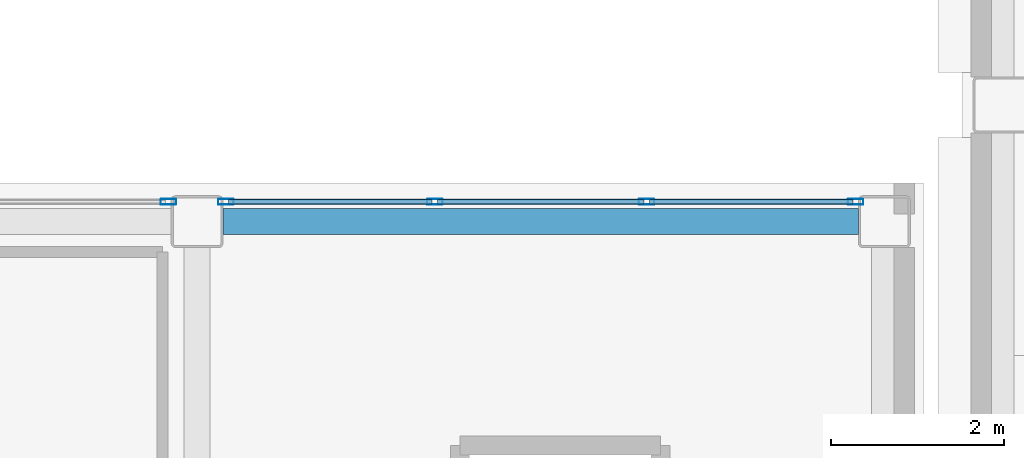
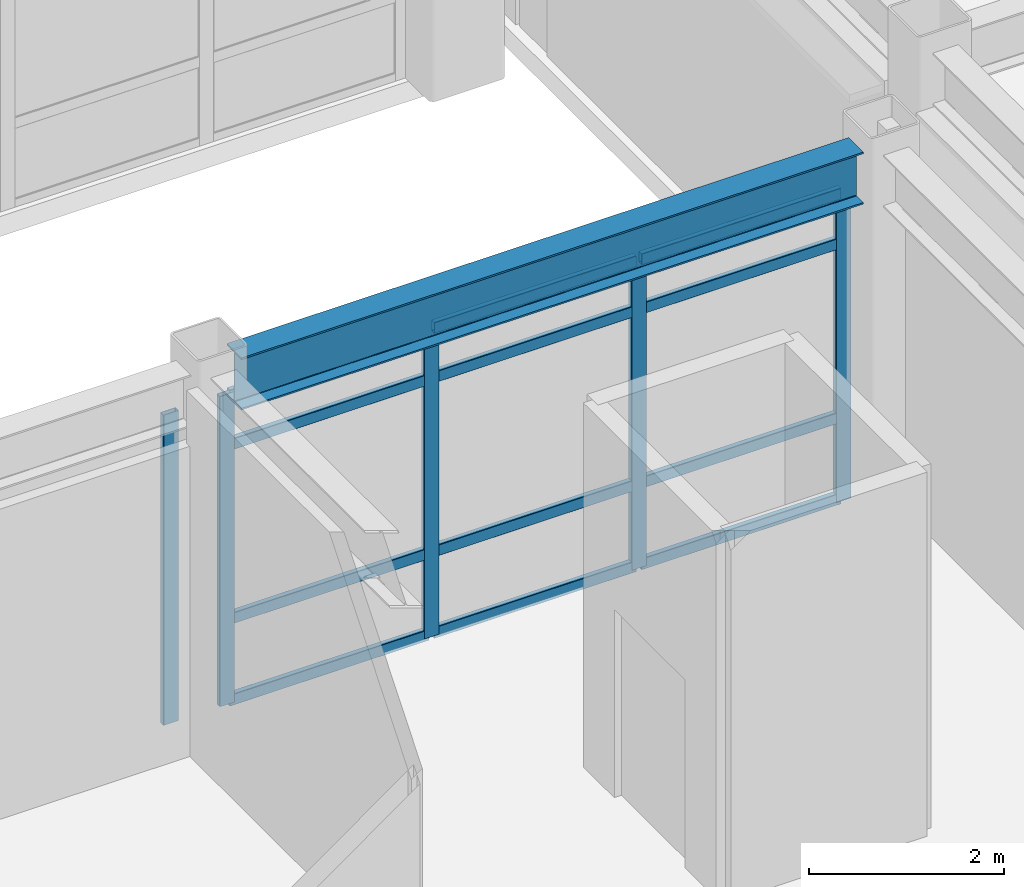
# One storey, part 34 of 172: 17 members, 1 beam, 2 elements without a shape of their own.
"""IFC4 building model written with IfcOpenShell, lengths in metres."""

from ifc_helpers import new_model, si_unit, direction, frame, origin, origin_2d, place, context, subcontext, project, spatial, hollow_rectangle, i_section, extrude, material, layer, layer_set, material_profile, profile_set, type_object, element, aggregate, save


model = new_model("IFC4")

# Units and contexts
model_context = context("Model", 3, precision=1e-05, world=origin(), true_north=direction((0.0, 1.0)))
body_context = subcontext(model_context, "Body", "Model", "MODEL_VIEW")
ifc_project = project(units=[si_unit("LENGTHUNIT", "METRE"), si_unit("AREAUNIT", "SQUARE_METRE"), si_unit("VOLUMEUNIT", "CUBIC_METRE"), si_unit("PLANEANGLEUNIT", "RADIAN"), si_unit("MASSUNIT", "GRAM", prefix="KILO")], contexts=[model_context])

# Site, building, storey
site_placement = place(None, origin())
site = spatial("IfcSite", under=ifc_project, at=site_placement, CompositionType="ELEMENT")
building_placement = place(site_placement, origin())
building = spatial("IfcBuilding", under=site, at=building_placement, Name="Kazehara Bluff Congress Hotel", CompositionType="ELEMENT")
storey_placement = place(building_placement, frame((0.0, 0.0, 5.39990234375)))
storey = spatial("IfcBuildingStorey", under=building, at=storey_placement, Name="L01", CompositionType="ELEMENT", Elevation=5.39990234375)

# Curtain wall, member
ifc_material_1 = material(Name="Anodised aluminium", Category="aluminium")
ifc_layer_1 = layer(ifc_material_1, 0.159912109375)
ifc_layer_set_1 = layer_set([ifc_layer_1], Name="Anodised aluminium")
curtain_wall_type_1 = type_object("IfcCurtainWallType", Name="TP-CW-29", PredefinedType="NOTDEFINED", material=ifc_layer_set_1)
curtain_wall_1_placement = place(storey_placement, origin())
curtain_wall_1 = element("IfcCurtainWall", 1, at=curtain_wall_1_placement, inside=storey, type_object=curtain_wall_type_1, Name="L01 curtain wall CW-29 CW-ENC-V2-L01-4620-3978", PredefinedType="NOTDEFINED")
ifc_material_2 = material(Name="Anodised aluminium", Category="aluminium")
ifc_material_profile_1 = material_profile(ifc_material_2, hollow_rectangle(XDim=0.06494140625, YDim=0.179931640625, WallThickness=0.00390625, InnerFilletRadius=0.00390625, OuterFilletRadius=0.008056640625, at=origin_2d()))
ifc_profile_set_1 = profile_set([ifc_material_profile_1], Name="Anodised aluminium")
member_type_1 = type_object("IfcMemberType", Name="TP-CWM-02", PredefinedType="MULLION", material=ifc_profile_set_1)
member_1_placement = place(storey_placement, frame((50.0673828125, 39.780029296875, 0.0), z_axis=(0.0, 0.0, 1.0), x_axis=(0.0, 1.0, 0.0)))
member_1 = element("IfcMember", 2, at=member_1_placement, type_object=member_type_1, Name="CW-29 mullion 4", PredefinedType="MULLION", context=body_context, shape_type="SweptSolid", body=[
    extrude(hollow_rectangle(XDim=0.06494140625, YDim=0.179931640625, WallThickness=0.00390625, InnerFilletRadius=0.00390625, OuterFilletRadius=0.008056640625, at=origin_2d()), origin(), (0.0, 0.0, 1.0), 3.875),
])
aggregate(curtain_wall_1, [member_1])

# Curtain wall, members
ifc_material_3 = material(Name="Anodised aluminium", Category="aluminium")
ifc_layer_2 = layer(ifc_material_3, 0.159912109375)
ifc_layer_set_2 = layer_set([ifc_layer_2], Name="Anodised aluminium")
curtain_wall_type_2 = type_object("IfcCurtainWallType", Name="TP-CW-56", PredefinedType="NOTDEFINED", material=ifc_layer_set_2)
curtain_wall_2_placement = place(storey_placement, origin())
curtain_wall_2 = element("IfcCurtainWall", 3, at=curtain_wall_2_placement, inside=storey, type_object=curtain_wall_type_2, Name="L01 curtain wall CW-56 CW-ENC-V2-L01-5438-3978", PredefinedType="NOTDEFINED")
member_2_placement = place(storey_placement, frame((50.732421875, 39.780029296875, 0.0), z_axis=(0.0, 0.0, 1.0), x_axis=(0.0, 1.0, 0.0)))
member_2 = element("IfcMember", 4, at=member_2_placement, type_object=member_type_1, Name="CW-56 mullion 1", PredefinedType="MULLION", context=body_context, shape_type="SweptSolid", body=[
    extrude(hollow_rectangle(XDim=0.06494140625, YDim=0.179931640625, WallThickness=0.00390625, InnerFilletRadius=0.00390625, OuterFilletRadius=0.008056640625, at=origin_2d()), origin(), (0.0, 0.0, 1.0), 3.875),
])
member_3_placement = place(storey_placement, frame((53.14990234375, 39.780029296875, 0.0), z_axis=(0.0, 0.0, 1.0), x_axis=(0.0, 1.0, 0.0)))
member_3 = element("IfcMember", 5, at=member_3_placement, type_object=member_type_1, Name="CW-56 mullion 2", PredefinedType="MULLION", context=body_context, shape_type="SweptSolid", body=[
    extrude(hollow_rectangle(XDim=0.06494140625, YDim=0.179931640625, WallThickness=0.00390625, InnerFilletRadius=0.00390625, OuterFilletRadius=0.008056640625, at=origin_2d()), origin(), (0.0, 0.0, 1.0), 3.875),
])
member_4_placement = place(storey_placement, frame((55.60009765625, 39.780029296875, 0.0), z_axis=(0.0, 0.0, 1.0), x_axis=(0.0, 1.0, 0.0)))
member_4 = element("IfcMember", 6, at=member_4_placement, type_object=member_type_1, Name="CW-56 mullion 3", PredefinedType="MULLION", context=body_context, shape_type="SweptSolid", body=[
    extrude(hollow_rectangle(XDim=0.06494140625, YDim=0.179931640625, WallThickness=0.00390625, InnerFilletRadius=0.00390625, OuterFilletRadius=0.008056640625, at=origin_2d()), origin(), (0.0, 0.0, 1.0), 3.875),
])
member_5_placement = place(storey_placement, frame((58.017578125, 39.780029296875, 0.0), z_axis=(0.0, 0.0, 1.0), x_axis=(0.0, 1.0, 0.0)))
member_5 = element("IfcMember", 7, at=member_5_placement, type_object=member_type_1, Name="CW-56 mullion 4", PredefinedType="MULLION", context=body_context, shape_type="SweptSolid", body=[
    extrude(hollow_rectangle(XDim=0.06494140625, YDim=0.179931640625, WallThickness=0.00390625, InnerFilletRadius=0.00390625, OuterFilletRadius=0.008056640625, at=origin_2d()), origin(), (0.0, 0.0, 1.0), 3.875),
])
ifc_material_4 = material(Name="Anodised aluminium", Category="aluminium")
ifc_material_profile_2 = material_profile(ifc_material_4, hollow_rectangle(XDim=0.06494140625, YDim=0.139892578125, WallThickness=0.00390625, InnerFilletRadius=0.00390625, OuterFilletRadius=0.008056640625, at=origin_2d()))
ifc_profile_set_2 = profile_set([ifc_material_profile_2], Name="Anodised aluminium")
member_type_2 = type_object("IfcMemberType", Name="TP-CWT-02", PredefinedType="USERDEFINED", material=ifc_profile_set_2)
member_6_placement = place(storey_placement, frame((50.764892578125, 39.780029296875, 0.03271484375), z_axis=(1.0, 0.0, 0.0), x_axis=(0.0, 1.0, 0.0)))
member_6 = element("IfcMember", 8, at=member_6_placement, type_object=member_type_2, Name="CW-56 transom 1.1", ObjectType="TRANSOM", PredefinedType="USERDEFINED", context=body_context, shape_type="SweptSolid", body=[
    extrude(hollow_rectangle(XDim=0.06494140625, YDim=0.139892578125, WallThickness=0.00390625, InnerFilletRadius=0.00390625, OuterFilletRadius=0.008056640625, at=origin_2d()), origin(), (0.0, 0.0, 1.0), 2.3525390625),
])
member_7_placement = place(storey_placement, frame((50.764892578125, 39.780029296875, 1.050048828125), z_axis=(1.0, 0.0, 0.0), x_axis=(0.0, 1.0, 0.0)))
member_7 = element("IfcMember", 9, at=member_7_placement, type_object=member_type_2, Name="CW-56 transom 1.2", ObjectType="TRANSOM", PredefinedType="USERDEFINED", context=body_context, shape_type="SweptSolid", body=[
    extrude(hollow_rectangle(XDim=0.06494140625, YDim=0.139892578125, WallThickness=0.00390625, InnerFilletRadius=0.00390625, OuterFilletRadius=0.008056640625, at=origin_2d()), origin(), (0.0, 0.0, 1.0), 2.3525390625),
])
member_8_placement = place(storey_placement, frame((50.764892578125, 39.780029296875, 3.22509765625), z_axis=(1.0, 0.0, 0.0), x_axis=(0.0, 1.0, 0.0)))
member_8 = element("IfcMember", 10, at=member_8_placement, type_object=member_type_2, Name="CW-56 transom 1.3", ObjectType="TRANSOM", PredefinedType="USERDEFINED", context=body_context, shape_type="SweptSolid", body=[
    extrude(hollow_rectangle(XDim=0.06494140625, YDim=0.139892578125, WallThickness=0.00390625, InnerFilletRadius=0.00390625, OuterFilletRadius=0.008056640625, at=origin_2d()), origin(), (0.0, 0.0, 1.0), 2.3525390625),
])
member_9_placement = place(storey_placement, frame((50.764892578125, 39.780029296875, 3.842529296875), z_axis=(1.0, 0.0, 0.0), x_axis=(0.0, 1.0, 0.0)))
member_9 = element("IfcMember", 11, at=member_9_placement, type_object=member_type_2, Name="CW-56 transom 1.4", ObjectType="TRANSOM", PredefinedType="USERDEFINED", context=body_context, shape_type="SweptSolid", body=[
    extrude(hollow_rectangle(XDim=0.06494140625, YDim=0.139892578125, WallThickness=0.00390625, InnerFilletRadius=0.00390625, OuterFilletRadius=0.008056640625, at=origin_2d()), origin(), (0.0, 0.0, 1.0), 2.3525390625),
])
member_10_placement = place(storey_placement, frame((53.1826171875, 39.780029296875, 0.03271484375), z_axis=(1.0, 0.0, 0.0), x_axis=(0.0, 1.0, 0.0)))
member_10 = element("IfcMember", 12, at=member_10_placement, type_object=member_type_2, Name="CW-56 transom 2.1", ObjectType="TRANSOM", PredefinedType="USERDEFINED", context=body_context, shape_type="SweptSolid", body=[
    extrude(hollow_rectangle(XDim=0.06494140625, YDim=0.139892578125, WallThickness=0.00390625, InnerFilletRadius=0.00390625, OuterFilletRadius=0.008056640625, at=origin_2d()), origin(), (0.0, 0.0, 1.0), 2.384765625),
])
member_11_placement = place(storey_placement, frame((53.1826171875, 39.780029296875, 1.050048828125), z_axis=(1.0, 0.0, 0.0), x_axis=(0.0, 1.0, 0.0)))
member_11 = element("IfcMember", 13, at=member_11_placement, type_object=member_type_2, Name="CW-56 transom 2.2", ObjectType="TRANSOM", PredefinedType="USERDEFINED", context=body_context, shape_type="SweptSolid", body=[
    extrude(hollow_rectangle(XDim=0.06494140625, YDim=0.139892578125, WallThickness=0.00390625, InnerFilletRadius=0.00390625, OuterFilletRadius=0.008056640625, at=origin_2d()), origin(), (0.0, 0.0, 1.0), 2.384765625),
])
member_12_placement = place(storey_placement, frame((53.1826171875, 39.780029296875, 3.22509765625), z_axis=(1.0, 0.0, 0.0), x_axis=(0.0, 1.0, 0.0)))
member_12 = element("IfcMember", 14, at=member_12_placement, type_object=member_type_2, Name="CW-56 transom 2.3", ObjectType="TRANSOM", PredefinedType="USERDEFINED", context=body_context, shape_type="SweptSolid", body=[
    extrude(hollow_rectangle(XDim=0.06494140625, YDim=0.139892578125, WallThickness=0.00390625, InnerFilletRadius=0.00390625, OuterFilletRadius=0.008056640625, at=origin_2d()), origin(), (0.0, 0.0, 1.0), 2.384765625),
])
member_13_placement = place(storey_placement, frame((53.1826171875, 39.780029296875, 3.842529296875), z_axis=(1.0, 0.0, 0.0), x_axis=(0.0, 1.0, 0.0)))
member_13 = element("IfcMember", 15, at=member_13_placement, type_object=member_type_2, Name="CW-56 transom 2.4", ObjectType="TRANSOM", PredefinedType="USERDEFINED", context=body_context, shape_type="SweptSolid", body=[
    extrude(hollow_rectangle(XDim=0.06494140625, YDim=0.139892578125, WallThickness=0.00390625, InnerFilletRadius=0.00390625, OuterFilletRadius=0.008056640625, at=origin_2d()), origin(), (0.0, 0.0, 1.0), 2.384765625),
])
member_14_placement = place(storey_placement, frame((55.632568359375, 39.780029296875, 0.03271484375), z_axis=(1.0, 0.0, 0.0), x_axis=(0.0, 1.0, 0.0)))
member_14 = element("IfcMember", 16, at=member_14_placement, type_object=member_type_2, Name="CW-56 transom 3.1", ObjectType="TRANSOM", PredefinedType="USERDEFINED", context=body_context, shape_type="SweptSolid", body=[
    extrude(hollow_rectangle(XDim=0.06494140625, YDim=0.139892578125, WallThickness=0.00390625, InnerFilletRadius=0.00390625, OuterFilletRadius=0.008056640625, at=origin_2d()), origin(), (0.0, 0.0, 1.0), 2.3525390625),
])
member_15_placement = place(storey_placement, frame((55.632568359375, 39.780029296875, 1.050048828125), z_axis=(1.0, 0.0, 0.0), x_axis=(0.0, 1.0, 0.0)))
member_15 = element("IfcMember", 17, at=member_15_placement, type_object=member_type_2, Name="CW-56 transom 3.2", ObjectType="TRANSOM", PredefinedType="USERDEFINED", context=body_context, shape_type="SweptSolid", body=[
    extrude(hollow_rectangle(XDim=0.06494140625, YDim=0.139892578125, WallThickness=0.00390625, InnerFilletRadius=0.00390625, OuterFilletRadius=0.008056640625, at=origin_2d()), origin(), (0.0, 0.0, 1.0), 2.3525390625),
])
member_16_placement = place(storey_placement, frame((55.632568359375, 39.780029296875, 3.22509765625), z_axis=(1.0, 0.0, 0.0), x_axis=(0.0, 1.0, 0.0)))
member_16 = element("IfcMember", 18, at=member_16_placement, type_object=member_type_2, Name="CW-56 transom 3.3", ObjectType="TRANSOM", PredefinedType="USERDEFINED", context=body_context, shape_type="SweptSolid", body=[
    extrude(hollow_rectangle(XDim=0.06494140625, YDim=0.139892578125, WallThickness=0.00390625, InnerFilletRadius=0.00390625, OuterFilletRadius=0.008056640625, at=origin_2d()), origin(), (0.0, 0.0, 1.0), 2.3525390625),
])
member_17_placement = place(storey_placement, frame((55.632568359375, 39.780029296875, 3.842529296875), z_axis=(1.0, 0.0, 0.0), x_axis=(0.0, 1.0, 0.0)))
member_17 = element("IfcMember", 19, at=member_17_placement, type_object=member_type_2, Name="CW-56 transom 3.4", ObjectType="TRANSOM", PredefinedType="USERDEFINED", context=body_context, shape_type="SweptSolid", body=[
    extrude(hollow_rectangle(XDim=0.06494140625, YDim=0.139892578125, WallThickness=0.00390625, InnerFilletRadius=0.00390625, OuterFilletRadius=0.008056640625, at=origin_2d()), origin(), (0.0, 0.0, 1.0), 2.3525390625),
])
aggregate(curtain_wall_2, [member_2, member_3, member_4, member_5, member_6, member_7, member_8, member_9, member_10, member_11, member_12, member_13, member_14, member_15, member_16, member_17])

# Beam
ifc_material_5 = material(Name="Steel SN490B", Category="steel")
ifc_material_profile_3 = material_profile(ifc_material_5, i_section(OverallWidth=0.300048828125, OverallDepth=0.64990234375, WebThickness=0.011962890625, FlangeThickness=0.02001953125, FilletRadius=0.012939453125, at=origin_2d()))
ifc_profile_set_3 = profile_set([ifc_material_profile_3], Name="Steel SN490B")
beam_type = type_object("IfcBeamType", Name="TP-G-03", PredefinedType="BEAM", material=ifc_profile_set_3)
beam_placement = place(storey_placement, frame((50.699951171875, 39.550048828125, 4.22509765625), z_axis=(1.0, 0.0, 0.0), x_axis=(0.0, 1.0, 0.0)))
element("IfcBeam", 20, at=beam_placement, inside=storey, type_object=beam_type, Name="L01 girder G-03 98", PredefinedType="BEAM", context=body_context, shape_type="SweptSolid", body=[
    extrude(i_section(OverallWidth=0.300048828125, OverallDepth=0.64990234375, WebThickness=0.011962890625, FlangeThickness=0.02001953125, FilletRadius=0.012939453125, at=origin_2d()), origin(), (0.0, 0.0, 1.0), 7.35009765625),
])

save(model, "model.ifc")
